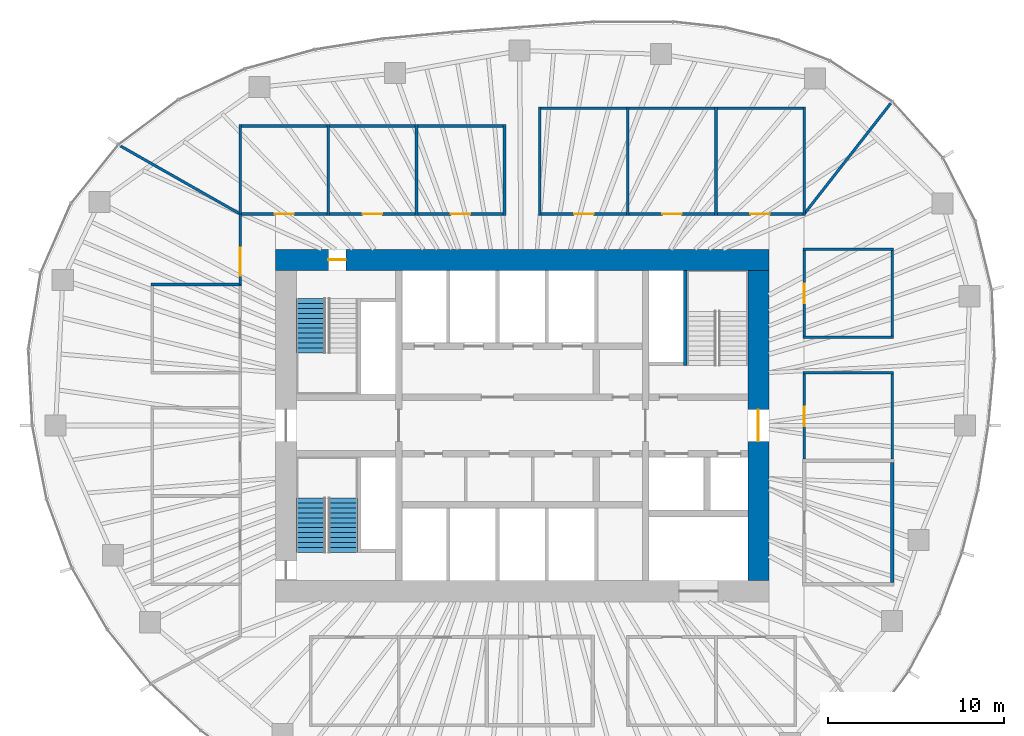
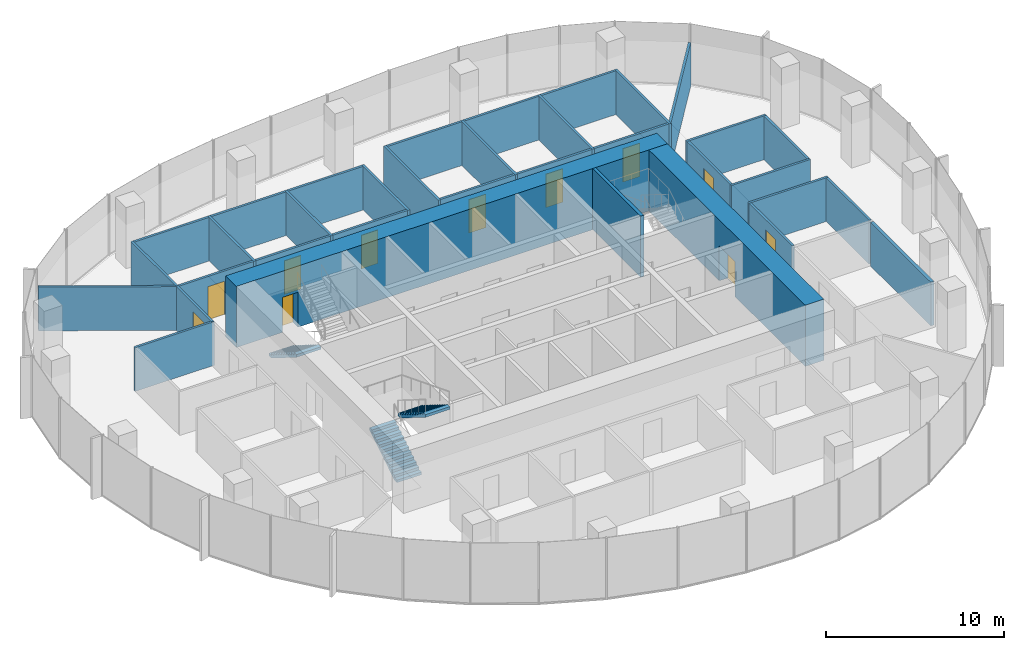
# One storey, part 10 of 12: 35 walls, 11 doors, 3 stair flights, 11 openings, 2 elements without a shape of their own.
"""IFC4 building model written with IfcOpenShell, lengths in metres."""

from ifc_helpers import new_model, si_unit, direction, frame, frame_2d, origin, place, context, subcontext, project, spatial, polyline, rectangle, outline, extrude, material, layer, layer_set, type_object, element, fill, aggregate, save


model = new_model("IFC4")

# Units and contexts
model_context = context("Model", 3, precision=1e-05, world=origin(), true_north=direction((0.0, 1.0)))
body_context = subcontext(model_context, "Body", "Model", "MODEL_VIEW")
ifc_project = project(units=[si_unit("LENGTHUNIT", "METRE"), si_unit("AREAUNIT", "SQUARE_METRE"), si_unit("VOLUMEUNIT", "CUBIC_METRE"), si_unit("PLANEANGLEUNIT", "RADIAN"), si_unit("MASSUNIT", "GRAM", prefix="KILO")], contexts=[model_context])

# Site, building, storey
site_placement = place(None, origin())
site = spatial("IfcSite", under=ifc_project, at=site_placement, CompositionType="ELEMENT")
building_placement = place(site_placement, origin())
building = spatial("IfcBuilding", under=site, at=building_placement, Name="Ghaith Harvest Tower", CompositionType="ELEMENT")
storey_placement = place(building_placement, frame((0.0, 0.0, 249.39990234375)))
storey = spatial("IfcBuildingStorey", under=building, at=storey_placement, Name="L55", CompositionType="ELEMENT", Elevation=249.39990234375)

# Wall
ifc_material_1 = material(Name="Twin-stud gypsum board, acoustic", Category="gypsum")
ifc_layer_1 = layer(ifc_material_1, 0.199951171875)
ifc_layer_set_1 = layer_set([ifc_layer_1], Name="ACOUSTIC PARTITION 200")
wall_type_1 = type_object("IfcWallType", Name="ACOUSTIC PARTITION 200", PredefinedType="PARTITIONING", material=ifc_layer_set_1)
wall_1_placement = place(storey_placement, frame((21.0, -8.89990234375, 0.0), z_axis=(0.0, 0.0, 1.0), x_axis=(0.0, 1.0, 0.0)))
element("IfcWall", 1, at=wall_1_placement, inside=storey, type_object=wall_type_1, Name="Partition L55-07", PredefinedType="PARTITIONING", context=body_context, shape_type="SweptSolid", body=[
    extrude(rectangle(XDim=6.7998046875, YDim=0.199951171875, at=frame_2d((3.39990234375, 0.0))), origin(), (0.0, 0.0, 1.0), 3.0),
])

# Wall, opening, door
ifc_material_2 = material(Name="Concrete C60/75", Category="concrete")
ifc_layer_2 = layer(ifc_material_2, 1.199951171875)
ifc_layer_set_2 = layer_set([ifc_layer_2], Name="CORE WALL CW1200 C60")
wall_type_2 = type_object("IfcWallType", Name="CORE WALL CW1200 C60", PredefinedType="SHEAR", material=ifc_layer_set_2)
wall_2_placement = place(storey_placement, frame((14.0, 9.39990234375, 0.0), z_axis=(0.0, 0.0, 1.0), x_axis=(-1.0, 0.0, 0.0)))
wall_2 = element("IfcWall", 2, at=wall_2_placement, inside=storey, type_object=wall_type_2, Name="Core wall N L55", PredefinedType="SHEAR", context=body_context, shape_type="SweptSolid", body=[
    extrude(rectangle(XDim=28.0, YDim=1.199951171875, at=frame_2d((14.0, 0.0))), origin(), (0.0, 0.0, 1.0), 4.2001953125),
])
opening_1_placement = place(wall_2_placement, frame((24.0, 0.0, 0.0)))
opening_1 = element("IfcOpeningElement", 3, at=opening_1_placement, cuts=wall_2, Name="Opening 55-005", PredefinedType="OPENING", context=body_context, shape_type="SweptSolid", body=[
    extrude(rectangle(XDim=1.0, YDim=2.39990234375, at=frame_2d((0.5, 1.199951171875))), frame((0.0, 0.60986328125, 0.0), z_axis=(0.0, -1.0, 0.0), x_axis=(1.0, 0.0, 0.0)), (0.0, 0.0, 1.0), 1.219970703125),
])
ifc_material_3 = material(Name="Steel fire door", Category="steel")
door_type_1 = type_object("IfcDoorType", Name="D3 FD90 1000x2400", OperationType="SINGLE_SWING_LEFT", PredefinedType="DOOR", material=ifc_material_3)
door_1_placement = place(opening_1_placement, origin())
door_1 = element("IfcDoor", 4, at=door_1_placement, inside=storey, type_object=door_type_1, Name="Stair ST1 door", OperationType="SINGLE_SWING_RIGHT", OverallHeight=2.39990234375, OverallWidth=1.0, PredefinedType="DOOR", context=body_context, shape_type="SweptSolid", body=[
    extrude(rectangle(XDim=1.0, YDim=2.39990234375, at=frame_2d((0.5, 1.199951171875))), frame((0.0, 0.02490234375, 0.0), z_axis=(0.0, -1.0, 0.0), x_axis=(1.0, 0.0, 0.0)), (0.0, 0.0, 1.0), 0.050048828125),
])
fill(opening_1, door_1)

wall_3_placement = place(storey_placement, frame((13.39990234375, -8.800048828125, 0.0), z_axis=(0.0, 0.0, 1.0), x_axis=(0.0, 1.0, 0.0)))
wall_3 = element("IfcWall", 5, at=wall_3_placement, inside=storey, type_object=wall_type_2, Name="Core wall E L55", PredefinedType="SHEAR", context=body_context, shape_type="SweptSolid", body=[
    extrude(rectangle(XDim=17.60009765625, YDim=1.199951171875, at=frame_2d((8.800048828125, 0.0))), origin(), (0.0, 0.0, 1.0), 4.2001953125),
])
opening_2_placement = place(wall_3_placement, frame((7.89990234375, 0.0, 0.0)))
opening_2 = element("IfcOpeningElement", 6, at=opening_2_placement, cuts=wall_3, Name="Opening 55-002", PredefinedType="OPENING", context=body_context, shape_type="SweptSolid", body=[
    extrude(rectangle(XDim=1.800048828125, YDim=2.39990234375, at=frame_2d((0.89990234375, 1.199951171875))), frame((0.0, 0.60986328125, 0.0), z_axis=(0.0, -1.0, 0.0), x_axis=(1.0, 0.0, 0.0)), (0.0, 0.0, 1.0), 1.219970703125),
])
ifc_material_4 = material(Name="Steel fire door", Category="steel")
door_type_2 = type_object("IfcDoorType", Name="D4 FD90 PAIR 1800x2400", OperationType="DOUBLE_DOOR_SINGLE_SWING", PredefinedType="DOOR", material=ifc_material_4)
door_2_placement = place(opening_2_placement, origin())
door_2 = element("IfcDoor", 7, at=door_2_placement, inside=storey, type_object=door_type_2, Name="Fire-fighting lobby doors", OperationType="DOUBLE_DOOR_SINGLE_SWING", OverallHeight=2.39990234375, OverallWidth=1.800048828125, PredefinedType="DOOR", context=body_context, shape_type="SweptSolid", body=[
    extrude(rectangle(XDim=1.800048828125, YDim=2.39990234375, at=frame_2d((0.89990234375, 1.199951171875))), frame((0.0, 0.02490234375, 0.0), z_axis=(0.0, -1.0, 0.0), x_axis=(1.0, 0.0, 0.0)), (0.0, 0.0, 1.0), 0.050048828125),
])
fill(opening_2, door_2)

# Walls
ifc_material_5 = material(Name="Gypsum board on steel studs", Category="steel")
ifc_layer_3 = layer(ifc_material_5, 0.14990234375)
ifc_layer_set_3 = layer_set([ifc_layer_3], Name="PARTITION 150")
wall_type_3 = type_object("IfcWallType", Name="PARTITION 150", PredefinedType="PARTITIONING", material=ifc_layer_set_3)
for number, where, z_axis, x_axis, name in (
    (8, (-16.0, 11.925048828125, 0.0), (0.0, 0.0, 1.0), (0.0, 1.0, 0.0), "Partition L55 row N1 cross wall 1"),
    (9, (-11.0, 11.925048828125, 0.0), (0.0, 0.0, 1.0), (0.0, 1.0, 0.0), "Partition L55 row N1 cross wall 2"),
    (10, (-6.0, 11.925048828125, 0.0), (0.0, 0.0, 1.0), (0.0, 1.0, 0.0), "Partition L55 row N1 cross wall 3"),
    (11, (-1.0, 11.925048828125, 0.0), (0.0, 0.0, 1.0), (0.0, 1.0, 0.0), "Partition L55 row N1 cross wall 4"),
):
    element("IfcWall", number, at=place(storey_placement, frame(where, z_axis=z_axis, x_axis=x_axis)), inside=storey, type_object=wall_type_3, Name=name, PredefinedType="PARTITIONING", context=body_context, shape_type="SweptSolid", body=[
        extrude(rectangle(XDim=5.14990234375, YDim=0.14990234375, at=frame_2d((2.574951171875, 0.0))), origin(), (0.0, 0.0, 1.0), 3.0),
    ])

# Wall, opening, door
wall_4_placement = place(storey_placement, frame((-15.925048828125, 12.0, 0.0), z_axis=(0.0, 0.0, 1.0), x_axis=(1.0, 0.0, 0.0)))
wall_4 = element("IfcWall", 12, at=wall_4_placement, inside=storey, type_object=wall_type_3, Name="Partition L55-01", PredefinedType="PARTITIONING", context=body_context, shape_type="SweptSolid", body=[
    extrude(rectangle(XDim=4.85009765625, YDim=0.14990234375, at=frame_2d((2.425048828125, 0.0))), origin(), (0.0, 0.0, 1.0), 3.0),
])
opening_3_placement = place(wall_4_placement, frame((1.875, 0.0, 0.0)))
opening_3 = element("IfcOpeningElement", 13, at=opening_3_placement, cuts=wall_4, Name="Opening 55-021", PredefinedType="OPENING", context=body_context, shape_type="SweptSolid", body=[
    extrude(rectangle(XDim=1.10009765625, YDim=2.300048828125, at=frame_2d((0.550048828125, 1.14990234375))), frame((0.0, 0.0849609375, 0.0), z_axis=(0.0, -1.0, 0.0), x_axis=(1.0, 0.0, 0.0)), (0.0, 0.0, 1.0), 0.169921875),
])
ifc_material_6 = material(Name="Timber-framed glazed door", Category="wood")
door_type_3 = type_object("IfcDoorType", Name="D12 GLAZED OFFICE 1100x2300", OperationType="SINGLE_SWING_LEFT", PredefinedType="DOOR", material=ifc_material_6)
door_3_placement = place(opening_3_placement, origin())
door_3 = element("IfcDoor", 14, at=door_3_placement, inside=storey, type_object=door_type_3, Name="Executive office door", OperationType="SINGLE_SWING_LEFT", OverallHeight=2.300048828125, OverallWidth=1.10009765625, PredefinedType="DOOR", context=body_context, shape_type="SweptSolid", body=[
    extrude(rectangle(XDim=1.10009765625, YDim=2.300048828125, at=frame_2d((0.550048828125, 1.14990234375))), frame((0.0, 0.02490234375, 0.0), z_axis=(0.0, -1.0, 0.0), x_axis=(1.0, 0.0, 0.0)), (0.0, 0.0, 1.0), 0.050048828125),
])
fill(opening_3, door_3)

# Wall
wall_5_placement = place(storey_placement, frame((-15.925048828125, 17.0, 0.0), z_axis=(0.0, 0.0, 1.0), x_axis=(1.0, 0.0, 0.0)))
element("IfcWall", 15, at=wall_5_placement, inside=storey, type_object=wall_type_3, Name="Partition L55-01", PredefinedType="PARTITIONING", context=body_context, shape_type="SweptSolid", body=[
    extrude(rectangle(XDim=4.85009765625, YDim=0.14990234375, at=frame_2d((2.425048828125, 0.0))), origin(), (0.0, 0.0, 1.0), 3.0),
])

# Wall, opening, door
wall_6_placement = place(storey_placement, frame((-10.925048828125, 12.0, 0.0), z_axis=(0.0, 0.0, 1.0), x_axis=(1.0, 0.0, 0.0)))
wall_6 = element("IfcWall", 16, at=wall_6_placement, inside=storey, type_object=wall_type_3, Name="Partition L55-02", PredefinedType="PARTITIONING", context=body_context, shape_type="SweptSolid", body=[
    extrude(rectangle(XDim=4.85009765625, YDim=0.14990234375, at=frame_2d((2.425048828125, 0.0))), origin(), (0.0, 0.0, 1.0), 3.0),
])
opening_4_placement = place(wall_6_placement, frame((1.875, 0.0, 0.0)))
opening_4 = element("IfcOpeningElement", 17, at=opening_4_placement, cuts=wall_6, Name="Opening 55-022", PredefinedType="OPENING", context=body_context, shape_type="SweptSolid", body=[
    extrude(rectangle(XDim=1.10009765625, YDim=2.300048828125, at=frame_2d((0.550048828125, 1.14990234375))), frame((0.0, 0.0849609375, 0.0), z_axis=(0.0, -1.0, 0.0), x_axis=(1.0, 0.0, 0.0)), (0.0, 0.0, 1.0), 0.169921875),
])
door_4_placement = place(opening_4_placement, origin())
door_4 = element("IfcDoor", 18, at=door_4_placement, inside=storey, type_object=door_type_3, Name="Executive office door", OperationType="SINGLE_SWING_LEFT", OverallHeight=2.300048828125, OverallWidth=1.10009765625, PredefinedType="DOOR", context=body_context, shape_type="SweptSolid", body=[
    extrude(rectangle(XDim=1.10009765625, YDim=2.300048828125, at=frame_2d((0.550048828125, 1.14990234375))), frame((0.0, 0.02490234375, 0.0), z_axis=(0.0, -1.0, 0.0), x_axis=(1.0, 0.0, 0.0)), (0.0, 0.0, 1.0), 0.050048828125),
])
fill(opening_4, door_4)

# Wall
wall_7_placement = place(storey_placement, frame((-10.925048828125, 17.0, 0.0), z_axis=(0.0, 0.0, 1.0), x_axis=(1.0, 0.0, 0.0)))
element("IfcWall", 19, at=wall_7_placement, inside=storey, type_object=wall_type_3, Name="Partition L55-02", PredefinedType="PARTITIONING", context=body_context, shape_type="SweptSolid", body=[
    extrude(rectangle(XDim=4.85009765625, YDim=0.14990234375, at=frame_2d((2.425048828125, 0.0))), origin(), (0.0, 0.0, 1.0), 3.0),
])

# Wall, opening, door
wall_8_placement = place(storey_placement, frame((-5.925048828125, 12.0, 0.0), z_axis=(0.0, 0.0, 1.0), x_axis=(1.0, 0.0, 0.0)))
wall_8 = element("IfcWall", 20, at=wall_8_placement, inside=storey, type_object=wall_type_3, Name="Partition L55-03", PredefinedType="PARTITIONING", context=body_context, shape_type="SweptSolid", body=[
    extrude(rectangle(XDim=4.85009765625, YDim=0.14990234375, at=frame_2d((2.425048828125, 0.0))), origin(), (0.0, 0.0, 1.0), 3.0),
])
opening_5_placement = place(wall_8_placement, frame((1.875, 0.0, 0.0)))
opening_5 = element("IfcOpeningElement", 21, at=opening_5_placement, cuts=wall_8, Name="Opening 55-023", PredefinedType="OPENING", context=body_context, shape_type="SweptSolid", body=[
    extrude(rectangle(XDim=1.10009765625, YDim=2.300048828125, at=frame_2d((0.550048828125, 1.14990234375))), frame((0.0, 0.0849609375, 0.0), z_axis=(0.0, -1.0, 0.0), x_axis=(1.0, 0.0, 0.0)), (0.0, 0.0, 1.0), 0.169921875),
])
door_5_placement = place(opening_5_placement, origin())
door_5 = element("IfcDoor", 22, at=door_5_placement, inside=storey, type_object=door_type_3, Name="Executive office door", OperationType="SINGLE_SWING_LEFT", OverallHeight=2.300048828125, OverallWidth=1.10009765625, PredefinedType="DOOR", context=body_context, shape_type="SweptSolid", body=[
    extrude(rectangle(XDim=1.10009765625, YDim=2.300048828125, at=frame_2d((0.550048828125, 1.14990234375))), frame((0.0, 0.02490234375, 0.0), z_axis=(0.0, -1.0, 0.0), x_axis=(1.0, 0.0, 0.0)), (0.0, 0.0, 1.0), 0.050048828125),
])
fill(opening_5, door_5)

# Walls
wall_9_placement = place(storey_placement, frame((-5.925048828125, 17.0, 0.0), z_axis=(0.0, 0.0, 1.0), x_axis=(1.0, 0.0, 0.0)))
element("IfcWall", 23, at=wall_9_placement, inside=storey, type_object=wall_type_3, Name="Partition L55-03", PredefinedType="PARTITIONING", context=body_context, shape_type="SweptSolid", body=[
    extrude(rectangle(XDim=4.85009765625, YDim=0.14990234375, at=frame_2d((2.425048828125, 0.0))), origin(), (0.0, 0.0, 1.0), 3.0),
])
for number, where, z_axis, x_axis, name in (
    (24, (1.0, 11.925048828125, 0.0), (0.0, 0.0, 1.0), (0.0, 1.0, 0.0), "Partition L55 row N2 cross wall 1"),
    (25, (6.0, 11.925048828125, 0.0), (0.0, 0.0, 1.0), (0.0, 1.0, 0.0), "Partition L55 row N2 cross wall 2"),
    (26, (11.0, 11.925048828125, 0.0), (0.0, 0.0, 1.0), (0.0, 1.0, 0.0), "Partition L55 row N2 cross wall 3"),
    (27, (16.0, 11.925048828125, 0.0), (0.0, 0.0, 1.0), (0.0, 1.0, 0.0), "Partition L55 row N2 cross wall 4"),
):
    element("IfcWall", number, at=place(storey_placement, frame(where, z_axis=z_axis, x_axis=x_axis)), inside=storey, type_object=wall_type_3, Name=name, PredefinedType="PARTITIONING", context=body_context, shape_type="SweptSolid", body=[
        extrude(rectangle(XDim=6.14990234375, YDim=0.14990234375, at=frame_2d((3.074951171875, 0.0))), origin(), (0.0, 0.0, 1.0), 3.0),
    ])

# Wall, opening, door
wall_10_placement = place(storey_placement, frame((1.074951171875, 12.0, 0.0), z_axis=(0.0, 0.0, 1.0), x_axis=(1.0, 0.0, 0.0)))
wall_10 = element("IfcWall", 28, at=wall_10_placement, inside=storey, type_object=wall_type_3, Name="Partition L55-04", PredefinedType="PARTITIONING", context=body_context, shape_type="SweptSolid", body=[
    extrude(rectangle(XDim=4.85009765625, YDim=0.14990234375, at=frame_2d((2.425048828125, 0.0))), origin(), (0.0, 0.0, 1.0), 3.0),
])
opening_6_placement = place(wall_10_placement, frame((1.875, 0.0, 0.0)))
opening_6 = element("IfcOpeningElement", 29, at=opening_6_placement, cuts=wall_10, Name="Opening 55-024", PredefinedType="OPENING", context=body_context, shape_type="SweptSolid", body=[
    extrude(rectangle(XDim=1.10009765625, YDim=2.300048828125, at=frame_2d((0.550048828125, 1.14990234375))), frame((0.0, 0.0849609375, 0.0), z_axis=(0.0, -1.0, 0.0), x_axis=(1.0, 0.0, 0.0)), (0.0, 0.0, 1.0), 0.169921875),
])
door_6_placement = place(opening_6_placement, origin())
door_6 = element("IfcDoor", 30, at=door_6_placement, inside=storey, type_object=door_type_3, Name="Executive office door", OperationType="SINGLE_SWING_LEFT", OverallHeight=2.300048828125, OverallWidth=1.10009765625, PredefinedType="DOOR", context=body_context, shape_type="SweptSolid", body=[
    extrude(rectangle(XDim=1.10009765625, YDim=2.300048828125, at=frame_2d((0.550048828125, 1.14990234375))), frame((0.0, 0.02490234375, 0.0), z_axis=(0.0, -1.0, 0.0), x_axis=(1.0, 0.0, 0.0)), (0.0, 0.0, 1.0), 0.050048828125),
])
fill(opening_6, door_6)

# Wall
wall_11_placement = place(storey_placement, frame((1.074951171875, 18.0, 0.0), z_axis=(0.0, 0.0, 1.0), x_axis=(1.0, 0.0, 0.0)))
element("IfcWall", 31, at=wall_11_placement, inside=storey, type_object=wall_type_3, Name="Partition L55-04", PredefinedType="PARTITIONING", context=body_context, shape_type="SweptSolid", body=[
    extrude(rectangle(XDim=4.85009765625, YDim=0.14990234375, at=frame_2d((2.425048828125, 0.0))), origin(), (0.0, 0.0, 1.0), 3.0),
])

# Wall, opening, door
wall_12_placement = place(storey_placement, frame((6.074951171875, 12.0, 0.0), z_axis=(0.0, 0.0, 1.0), x_axis=(1.0, 0.0, 0.0)))
wall_12 = element("IfcWall", 32, at=wall_12_placement, inside=storey, type_object=wall_type_3, Name="Partition L55-05", PredefinedType="PARTITIONING", context=body_context, shape_type="SweptSolid", body=[
    extrude(rectangle(XDim=4.85009765625, YDim=0.14990234375, at=frame_2d((2.425048828125, 0.0))), origin(), (0.0, 0.0, 1.0), 3.0),
])
opening_7_placement = place(wall_12_placement, frame((1.875, 0.0, 0.0)))
opening_7 = element("IfcOpeningElement", 33, at=opening_7_placement, cuts=wall_12, Name="Opening 55-025", PredefinedType="OPENING", context=body_context, shape_type="SweptSolid", body=[
    extrude(rectangle(XDim=1.10009765625, YDim=2.300048828125, at=frame_2d((0.550048828125, 1.14990234375))), frame((0.0, 0.0849609375, 0.0), z_axis=(0.0, -1.0, 0.0), x_axis=(1.0, 0.0, 0.0)), (0.0, 0.0, 1.0), 0.169921875),
])
door_7_placement = place(opening_7_placement, origin())
door_7 = element("IfcDoor", 34, at=door_7_placement, inside=storey, type_object=door_type_3, Name="Executive office door", OperationType="SINGLE_SWING_LEFT", OverallHeight=2.300048828125, OverallWidth=1.10009765625, PredefinedType="DOOR", context=body_context, shape_type="SweptSolid", body=[
    extrude(rectangle(XDim=1.10009765625, YDim=2.300048828125, at=frame_2d((0.550048828125, 1.14990234375))), frame((0.0, 0.02490234375, 0.0), z_axis=(0.0, -1.0, 0.0), x_axis=(1.0, 0.0, 0.0)), (0.0, 0.0, 1.0), 0.050048828125),
])
fill(opening_7, door_7)

# Wall
wall_13_placement = place(storey_placement, frame((6.074951171875, 18.0, 0.0), z_axis=(0.0, 0.0, 1.0), x_axis=(1.0, 0.0, 0.0)))
element("IfcWall", 35, at=wall_13_placement, inside=storey, type_object=wall_type_3, Name="Partition L55-05", PredefinedType="PARTITIONING", context=body_context, shape_type="SweptSolid", body=[
    extrude(rectangle(XDim=4.85009765625, YDim=0.14990234375, at=frame_2d((2.425048828125, 0.0))), origin(), (0.0, 0.0, 1.0), 3.0),
])

# Wall, opening, door
wall_14_placement = place(storey_placement, frame((11.074951171875, 12.0, 0.0), z_axis=(0.0, 0.0, 1.0), x_axis=(1.0, 0.0, 0.0)))
wall_14 = element("IfcWall", 36, at=wall_14_placement, inside=storey, type_object=wall_type_3, Name="Partition L55-06", PredefinedType="PARTITIONING", context=body_context, shape_type="SweptSolid", body=[
    extrude(rectangle(XDim=4.85009765625, YDim=0.14990234375, at=frame_2d((2.425048828125, 0.0))), origin(), (0.0, 0.0, 1.0), 3.0),
])
opening_8_placement = place(wall_14_placement, frame((1.875, 0.0, 0.0)))
opening_8 = element("IfcOpeningElement", 37, at=opening_8_placement, cuts=wall_14, Name="Opening 55-026", PredefinedType="OPENING", context=body_context, shape_type="SweptSolid", body=[
    extrude(rectangle(XDim=1.10009765625, YDim=2.300048828125, at=frame_2d((0.550048828125, 1.14990234375))), frame((0.0, 0.0849609375, 0.0), z_axis=(0.0, -1.0, 0.0), x_axis=(1.0, 0.0, 0.0)), (0.0, 0.0, 1.0), 0.169921875),
])
door_8_placement = place(opening_8_placement, origin())
door_8 = element("IfcDoor", 38, at=door_8_placement, inside=storey, type_object=door_type_3, Name="Executive office door", OperationType="SINGLE_SWING_LEFT", OverallHeight=2.300048828125, OverallWidth=1.10009765625, PredefinedType="DOOR", context=body_context, shape_type="SweptSolid", body=[
    extrude(rectangle(XDim=1.10009765625, YDim=2.300048828125, at=frame_2d((0.550048828125, 1.14990234375))), frame((0.0, 0.02490234375, 0.0), z_axis=(0.0, -1.0, 0.0), x_axis=(1.0, 0.0, 0.0)), (0.0, 0.0, 1.0), 0.050048828125),
])
fill(opening_8, door_8)

# Walls
wall_15_placement = place(storey_placement, frame((11.074951171875, 18.0, 0.0), z_axis=(0.0, 0.0, 1.0), x_axis=(1.0, 0.0, 0.0)))
element("IfcWall", 39, at=wall_15_placement, inside=storey, type_object=wall_type_3, Name="Partition L55-06", PredefinedType="PARTITIONING", context=body_context, shape_type="SweptSolid", body=[
    extrude(rectangle(XDim=4.85009765625, YDim=0.14990234375, at=frame_2d((2.425048828125, 0.0))), origin(), (0.0, 0.0, 1.0), 3.0),
])
wall_16_placement = place(storey_placement, frame((15.925048828125, 3.0, 0.0), z_axis=(0.0, 0.0, 1.0), x_axis=(1.0, 0.0, 0.0)))
element("IfcWall", 40, at=wall_16_placement, inside=storey, type_object=wall_type_3, Name="Partition L55 row E3 cross wall 3", PredefinedType="PARTITIONING", context=body_context, shape_type="SweptSolid", body=[
    extrude(rectangle(XDim=5.14990234375, YDim=0.14990234375, at=frame_2d((2.574951171875, 0.0))), origin(), (0.0, 0.0, 1.0), 3.0),
])

# Wall, opening, door
wall_17_placement = place(storey_placement, frame((16.0, -1.89990234375, 0.0), z_axis=(0.0, 0.0, 1.0), x_axis=(0.0, 1.0, 0.0)))
wall_17 = element("IfcWall", 41, at=wall_17_placement, inside=storey, type_object=wall_type_3, Name="Partition L55-08", PredefinedType="PARTITIONING", context=body_context, shape_type="SweptSolid", body=[
    extrude(rectangle(XDim=4.824951171875, YDim=0.14990234375, at=frame_2d((2.41259765625, 0.0))), origin(), (0.0, 0.0, 1.0), 3.0),
])
opening_9_placement = place(wall_17_placement, frame((1.862548828125, 0.0, 0.0)))
opening_9 = element("IfcOpeningElement", 42, at=opening_9_placement, cuts=wall_17, Name="Opening 55-028", PredefinedType="OPENING", context=body_context, shape_type="SweptSolid", body=[
    extrude(rectangle(XDim=1.10009765625, YDim=2.300048828125, at=frame_2d((0.550048828125, 1.14990234375))), frame((0.0, 0.0849609375, 0.0), z_axis=(0.0, -1.0, 0.0), x_axis=(1.0, 0.0, 0.0)), (0.0, 0.0, 1.0), 0.169921875),
])
door_9_placement = place(opening_9_placement, origin())
door_9 = element("IfcDoor", 43, at=door_9_placement, inside=storey, type_object=door_type_3, Name="Executive office door", OperationType="SINGLE_SWING_LEFT", OverallHeight=2.300048828125, OverallWidth=1.10009765625, PredefinedType="DOOR", context=body_context, shape_type="SweptSolid", body=[
    extrude(rectangle(XDim=1.10009765625, YDim=2.300048828125, at=frame_2d((0.550048828125, 1.14990234375))), frame((0.0, 0.02490234375, 0.0), z_axis=(0.0, -1.0, 0.0), x_axis=(1.0, 0.0, 0.0)), (0.0, 0.0, 1.0), 0.050048828125),
])
fill(opening_9, door_9)

# Walls
wall_18_placement = place(storey_placement, frame((21.0, -1.89990234375, 0.0), z_axis=(0.0, 0.0, 1.0), x_axis=(0.0, 1.0, 0.0)))
element("IfcWall", 44, at=wall_18_placement, inside=storey, type_object=wall_type_3, Name="Partition L55-08", PredefinedType="PARTITIONING", context=body_context, shape_type="SweptSolid", body=[
    extrude(rectangle(XDim=4.824951171875, YDim=0.14990234375, at=frame_2d((2.41259765625, 0.0))), origin(), (0.0, 0.0, 1.0), 3.0),
])
for number, where, z_axis, x_axis, name in (
    (45, (15.925048828125, 5.0, 0.0), (0.0, 0.0, 1.0), (1.0, 0.0, 0.0), "Partition L55 row E7 cross wall 1"),
    (46, (15.925048828125, 10.0, 0.0), (0.0, 0.0, 1.0), (1.0, 0.0, 0.0), "Partition L55 row E7 cross wall 2"),
):
    element("IfcWall", number, at=place(storey_placement, frame(where, z_axis=z_axis, x_axis=x_axis)), inside=storey, type_object=wall_type_3, Name=name, PredefinedType="PARTITIONING", context=body_context, shape_type="SweptSolid", body=[
        extrude(rectangle(XDim=5.14990234375, YDim=0.14990234375, at=frame_2d((2.574951171875, 0.0))), origin(), (0.0, 0.0, 1.0), 3.0),
    ])

# Wall, opening, door
wall_19_placement = place(storey_placement, frame((16.0, 5.074951171875, 0.0), z_axis=(0.0, 0.0, 1.0), x_axis=(0.0, 1.0, 0.0)))
wall_19 = element("IfcWall", 47, at=wall_19_placement, inside=storey, type_object=wall_type_3, Name="Partition L55-16", PredefinedType="PARTITIONING", context=body_context, shape_type="SweptSolid", body=[
    extrude(rectangle(XDim=4.85009765625, YDim=0.14990234375, at=frame_2d((2.425048828125, 0.0))), origin(), (0.0, 0.0, 1.0), 3.0),
])
opening_10_placement = place(wall_19_placement, frame((1.875, 0.0, 0.0)))
opening_10 = element("IfcOpeningElement", 48, at=opening_10_placement, cuts=wall_19, Name="Opening 55-036", PredefinedType="OPENING", context=body_context, shape_type="SweptSolid", body=[
    extrude(rectangle(XDim=1.10009765625, YDim=2.300048828125, at=frame_2d((0.550048828125, 1.14990234375))), frame((0.0, 0.0849609375, 0.0), z_axis=(0.0, -1.0, 0.0), x_axis=(1.0, 0.0, 0.0)), (0.0, 0.0, 1.0), 0.169921875),
])
door_10_placement = place(opening_10_placement, origin())
door_10 = element("IfcDoor", 49, at=door_10_placement, inside=storey, type_object=door_type_3, Name="Office door", OperationType="SINGLE_SWING_LEFT", OverallHeight=2.300048828125, OverallWidth=1.10009765625, PredefinedType="DOOR", context=body_context, shape_type="SweptSolid", body=[
    extrude(rectangle(XDim=1.10009765625, YDim=2.300048828125, at=frame_2d((0.550048828125, 1.14990234375))), frame((0.0, 0.02490234375, 0.0), z_axis=(0.0, -1.0, 0.0), x_axis=(1.0, 0.0, 0.0)), (0.0, 0.0, 1.0), 0.050048828125),
])
fill(opening_10, door_10)

# Walls
wall_20_placement = place(storey_placement, frame((21.0, 5.074951171875, 0.0), z_axis=(0.0, 0.0, 1.0), x_axis=(0.0, 1.0, 0.0)))
element("IfcWall", 50, at=wall_20_placement, inside=storey, type_object=wall_type_3, Name="Partition L55-16", PredefinedType="PARTITIONING", context=body_context, shape_type="SweptSolid", body=[
    extrude(rectangle(XDim=4.85009765625, YDim=0.14990234375, at=frame_2d((2.425048828125, 0.0))), origin(), (0.0, 0.0, 1.0), 3.0),
])
wall_21_placement = place(storey_placement, frame((-15.925048828125, 8.0, 0.0), z_axis=(0.0, 0.0, 1.0), x_axis=(-1.0, 0.0, 0.0)))
element("IfcWall", 51, at=wall_21_placement, inside=storey, type_object=wall_type_3, Name="Partition L55 row W8 cross wall 2", PredefinedType="PARTITIONING", context=body_context, shape_type="SweptSolid", body=[
    extrude(rectangle(XDim=5.14990234375, YDim=0.14990234375, at=frame_2d((2.574951171875, 0.0))), origin(), (0.0, 0.0, 1.0), 3.0),
])
wall_22_placement = place(storey_placement, frame((-16.02001953125, 12.011474609375, 0.0), z_axis=(0.0, 0.0, 1.0), x_axis=(-0.869354026591, 0.494189818238, 0.0)))
element("IfcWall", 52, at=wall_22_placement, inside=storey, type_object=wall_type_3, Name="Partition L55 zone division", PredefinedType="PARTITIONING", context=body_context, shape_type="SweptSolid", body=[
    extrude(rectangle(XDim=7.788330078125, YDim=0.14990234375, at=frame_2d((3.89404296875, 0.0))), origin(), (0.0, 0.0, 1.0), 3.0),
])
wall_23_placement = place(storey_placement, frame((16.02001953125, 12.025634765625, 0.0), z_axis=(0.0, 0.0, 1.0), x_axis=(0.616031272047, 0.787721696959, 0.0)))
element("IfcWall", 53, at=wall_23_placement, inside=storey, type_object=wall_type_3, Name="Partition L55 zone division", PredefinedType="PARTITIONING", context=body_context, shape_type="SweptSolid", body=[
    extrude(rectangle(XDim=7.93896484375, YDim=0.14990234375, at=frame_2d((3.969482421875, 0.0))), origin(), (0.0, 0.0, 1.0), 3.0),
])

# Wall, opening, door
wall_24_placement = place(storey_placement, frame((-16.0, 12.0, 0.0), z_axis=(0.0, 0.0, 1.0), x_axis=(0.0, -1.0, 0.0)))
wall_24 = element("IfcWall", 54, at=wall_24_placement, inside=storey, type_object=wall_type_3, Name="Partition L55 zone enclosure", PredefinedType="PARTITIONING", context=body_context, shape_type="SweptSolid", body=[
    extrude(rectangle(XDim=4.0, YDim=0.14990234375, at=frame_2d((2.0, 0.0))), origin(), (0.0, 0.0, 1.0), 3.0),
])
opening_11_placement = place(wall_24_placement, frame((1.89990234375, 0.0, 0.0)))
opening_11 = element("IfcOpeningElement", 55, at=opening_11_placement, cuts=wall_24, Name="Opening 55-038", PredefinedType="OPENING", context=body_context, shape_type="SweptSolid", body=[
    extrude(rectangle(XDim=1.60009765625, YDim=2.39990234375, at=frame_2d((0.800048828125, 1.199951171875))), frame((0.0, 0.0849609375, 0.0), z_axis=(0.0, -1.0, 0.0), x_axis=(1.0, 0.0, 0.0)), (0.0, 0.0, 1.0), 0.169921875),
])
ifc_material_7 = material(Name="Timber door", Category="wood")
door_type_4 = type_object("IfcDoorType", Name="D2 PAIR 1600x2400", OperationType="DOUBLE_DOOR_SINGLE_SWING", PredefinedType="DOOR", material=ifc_material_7)
door_11_placement = place(opening_11_placement, origin())
door_11 = element("IfcDoor", 56, at=door_11_placement, inside=storey, type_object=door_type_4, Name="Executive workplace west door", OperationType="DOUBLE_DOOR_SINGLE_SWING", OverallHeight=2.39990234375, OverallWidth=1.60009765625, PredefinedType="DOOR", context=body_context, shape_type="SweptSolid", body=[
    extrude(rectangle(XDim=1.60009765625, YDim=2.39990234375, at=frame_2d((0.800048828125, 1.199951171875))), frame((0.0, 0.02490234375, 0.0), z_axis=(0.0, -1.0, 0.0), x_axis=(1.0, 0.0, 0.0)), (0.0, 0.0, 1.0), 0.050048828125),
])
fill(opening_11, door_11)

# Wall
ifc_material_8 = material(Name="Concrete C40/50", Category="concrete")
ifc_layer_4 = layer(ifc_material_8, 0.199951171875)
ifc_layer_set_4 = layer_set([ifc_layer_4], Name="STAIR SPINE WALL RC200")
wall_type_4 = type_object("IfcWallType", Name="STAIR SPINE WALL RC200", PredefinedType="SOLIDWALL", material=ifc_layer_set_4)
wall_25_placement = place(storey_placement, frame((9.25, 3.39990234375, 0.0), z_axis=(0.0, 0.0, 1.0), x_axis=(0.0, 1.0, 0.0)))
element("IfcWall", 57, at=wall_25_placement, inside=storey, type_object=wall_type_4, Name="Stair ST2 spine wall L55", PredefinedType="SOLIDWALL", context=body_context, shape_type="SweptSolid", body=[
    extrude(rectangle(XDim=5.400146484375, YDim=0.199951171875, at=frame_2d((2.7001953125, 0.0))), origin(), (0.0, 0.0, 1.0), 4.2001953125),
])

# Stair, stair flight
ifc_material_9 = material(Name="Concrete C40/50, precast", Category="concrete")
stair_type = type_object("IfcStairType", Name="CORE STAIR 24R", PredefinedType="HALF_TURN_STAIR", material=ifc_material_9)
stair_1_placement = place(storey_placement, origin())
stair_1 = element("IfcStair", 58, at=stair_1_placement, inside=storey, type_object=stair_type, Name="Stair ST1 L55", PredefinedType="HALF_TURN_STAIR")
ifc_material_10 = material(Name="Concrete C40/50, precast", Category="concrete")
stair_flight_type = type_object("IfcStairFlightType", Name="CORE FLIGHT 12R 1600", PredefinedType="STRAIGHT", material=ifc_material_10)
stair_flight_1_placement = place(storey_placement, frame((-12.0, 7.199951171875, 0.0), z_axis=(0.0, 0.0, 1.0), x_axis=(0.0, -1.0, 0.0)))
stair_flight_1 = element("IfcStairFlight", 59, at=stair_flight_1_placement, type_object=stair_flight_type, Name="ST1 flight 1", NumberOfRisers=12, NumberOfTreads=11, PredefinedType="STRAIGHT", RiserHeight=0.175, TreadLength=0.28, context=body_context, shape_type="SweptSolid", body=[
    extrude(outline(polyline([(0.0, 0.0), (0.0, 0.175048828125), (0.280029296875, 0.175048828125), (0.280029296875, 0.35009765625), (0.56005859375, 0.35009765625), (0.56005859375, 0.52490234375), (0.840087890625, 0.52490234375), (0.840087890625, 0.699951171875), (1.1201171875, 0.699951171875), (1.1201171875, 0.875), (1.39990234375, 0.875), (1.39990234375, 1.050048828125), (1.679931640625, 1.050048828125), (1.679931640625, 1.22509765625), (1.9599609375, 1.22509765625), (1.9599609375, 1.39990234375), (2.239990234375, 1.39990234375), (2.239990234375, 1.574951171875), (2.52001953125, 1.574951171875), (2.52001953125, 1.75), (2.800048828125, 1.75), (2.800048828125, 1.925048828125), (3.080078125, 1.925048828125), (3.080078125, 2.10009765625), (3.080078125, 1.748291015625), (0.28271484375, 0.0), (0.0, 0.0)])), frame((0.0, 0.800048828125, 0.0), z_axis=(0.0, -1.0, 0.0), x_axis=(1.0, 0.0, 0.0)), (0.0, 0.0, 1.0), 1.60009765625),
])
aggregate(stair_1, [stair_flight_1])

# Stair, stair flights
stair_2_placement = place(storey_placement, origin())
stair_2 = element("IfcStair", 60, at=stair_2_placement, inside=storey, type_object=stair_type, Name="Stair ST3 L55", PredefinedType="HALF_TURN_STAIR")
stair_flight_2_placement = place(storey_placement, frame((-12.0, -7.199951171875, 0.0), z_axis=(0.0, 0.0, 1.0), x_axis=(0.0, 1.0, 0.0)))
stair_flight_2 = element("IfcStairFlight", 61, at=stair_flight_2_placement, type_object=stair_flight_type, Name="ST3 flight 1", NumberOfRisers=12, NumberOfTreads=11, PredefinedType="STRAIGHT", RiserHeight=0.175, TreadLength=0.28, context=body_context, shape_type="SweptSolid", body=[
    extrude(outline(polyline([(0.0, 0.0), (0.0, 0.175048828125), (0.280029296875, 0.175048828125), (0.280029296875, 0.35009765625), (0.56005859375, 0.35009765625), (0.56005859375, 0.52490234375), (0.840087890625, 0.52490234375), (0.840087890625, 0.699951171875), (1.1201171875, 0.699951171875), (1.1201171875, 0.875), (1.39990234375, 0.875), (1.39990234375, 1.050048828125), (1.679931640625, 1.050048828125), (1.679931640625, 1.22509765625), (1.9599609375, 1.22509765625), (1.9599609375, 1.39990234375), (2.239990234375, 1.39990234375), (2.239990234375, 1.574951171875), (2.52001953125, 1.574951171875), (2.52001953125, 1.75), (2.800048828125, 1.75), (2.800048828125, 1.925048828125), (3.080078125, 1.925048828125), (3.080078125, 2.10009765625), (3.080078125, 1.748291015625), (0.28271484375, 0.0), (0.0, 0.0)])), frame((0.0, 0.800048828125, 0.0), z_axis=(0.0, -1.0, 0.0), x_axis=(1.0, 0.0, 0.0)), (0.0, 0.0, 1.0), 1.60009765625),
])
stair_flight_3_placement = place(storey_placement, frame((-10.14990234375, -4.1201171875, 2.10009765625), z_axis=(0.0, 0.0, 1.0), x_axis=(0.0, -1.0, 0.0)))
stair_flight_3 = element("IfcStairFlight", 62, at=stair_flight_3_placement, type_object=stair_flight_type, Name="ST3 flight 2", NumberOfRisers=12, NumberOfTreads=11, PredefinedType="STRAIGHT", RiserHeight=0.175, TreadLength=0.28, context=body_context, shape_type="SweptSolid", body=[
    extrude(outline(polyline([(0.0, 0.0), (0.0, 0.175048828125), (0.280029296875, 0.175048828125), (0.280029296875, 0.35009765625), (0.56005859375, 0.35009765625), (0.56005859375, 0.52490234375), (0.840087890625, 0.52490234375), (0.840087890625, 0.699951171875), (1.1201171875, 0.699951171875), (1.1201171875, 0.875), (1.39990234375, 0.875), (1.39990234375, 1.050048828125), (1.679931640625, 1.050048828125), (1.679931640625, 1.22509765625), (1.9599609375, 1.22509765625), (1.9599609375, 1.39990234375), (2.239990234375, 1.39990234375), (2.239990234375, 1.574951171875), (2.52001953125, 1.574951171875), (2.52001953125, 1.75), (2.800048828125, 1.75), (2.800048828125, 1.925048828125), (3.080078125, 1.925048828125), (3.080078125, 2.10009765625), (3.080078125, 1.748291015625), (0.28271484375, 0.0), (0.0, 0.0)])), frame((0.0, 0.800048828125, 0.0), z_axis=(0.0, -1.0, 0.0), x_axis=(1.0, 0.0, 0.0)), (0.0, 0.0, 1.0), 1.60009765625),
])
aggregate(stair_2, [stair_flight_2, stair_flight_3])

save(model, "model.ifc")
